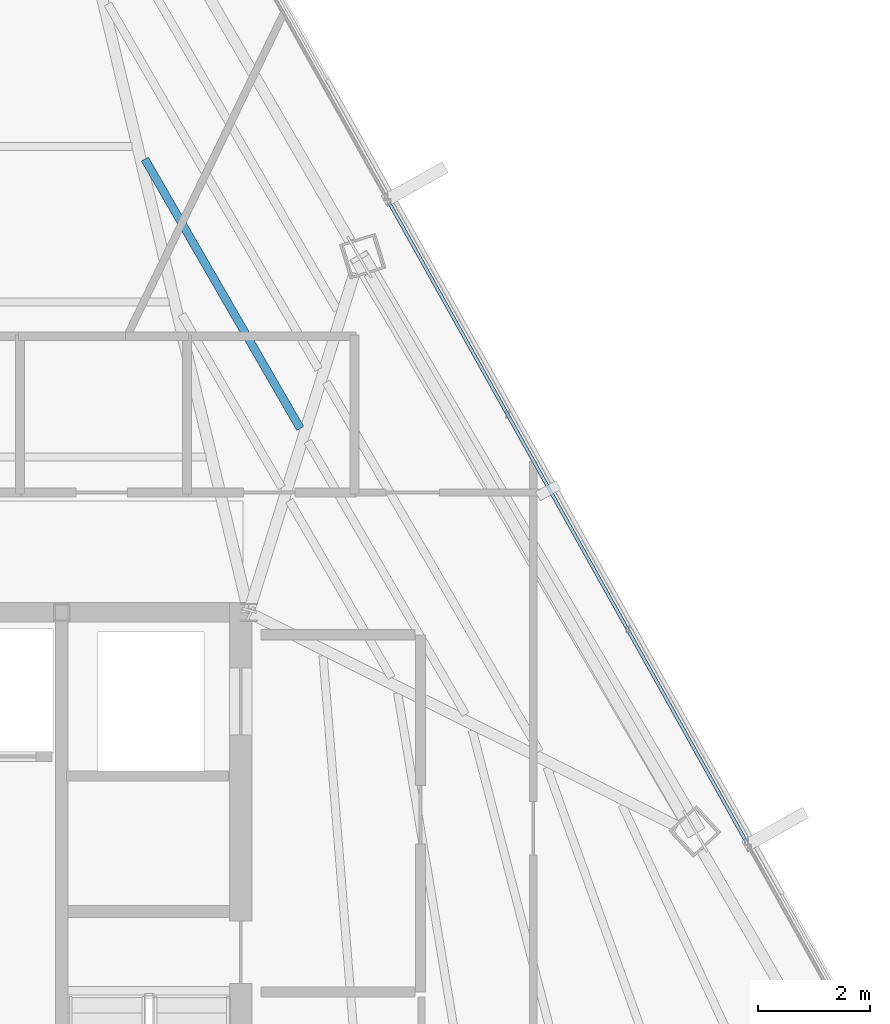
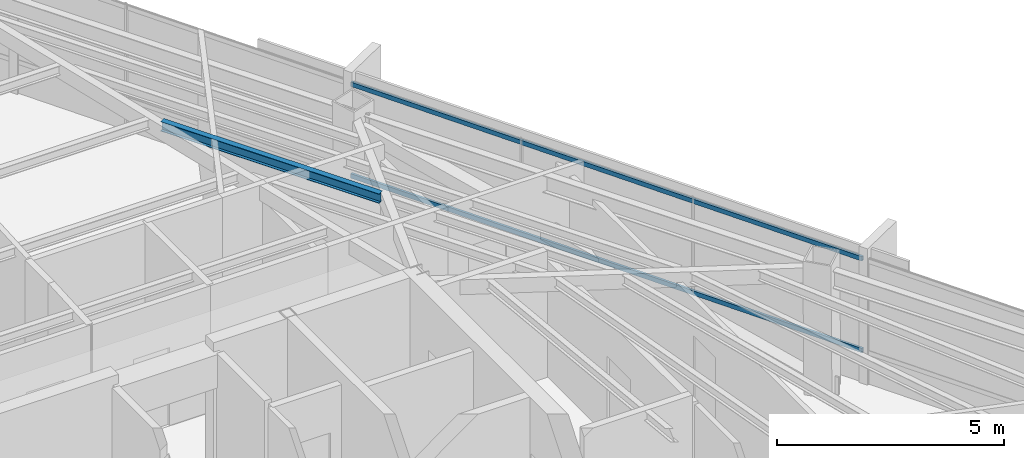
# One storey, part 30 of 45: 2 members, 1 beam, 1 element without a shape of its own.
"""IFC4 building model written with IfcOpenShell, lengths in metres."""

from ifc_helpers import new_model, si_unit, direction, frame, origin, origin_2d, place, context, subcontext, project, spatial, hollow_rectangle, i_section, extrude, source, transform, mapped, material, material_profile, profile_set, type_object, type_shapes, element, aggregate, save


model = new_model("IFC4")

# Units and contexts
model_context = context("Model", 3, precision=1e-05, world=origin(), true_north=direction((0.0, 1.0)))
body_context = subcontext(model_context, "Body", "Model", "MODEL_VIEW")
ifc_project = project(units=[si_unit("LENGTHUNIT", "METRE"), si_unit("AREAUNIT", "SQUARE_METRE"), si_unit("VOLUMEUNIT", "CUBIC_METRE"), si_unit("PLANEANGLEUNIT", "RADIAN"), si_unit("MASSUNIT", "GRAM", prefix="KILO")], contexts=[model_context])

# Site, building, storey
site_placement = place(None, origin())
site = spatial("IfcSite", under=ifc_project, at=site_placement, CompositionType="ELEMENT")
building_placement = place(site_placement, origin())
building = spatial("IfcBuilding", under=site, at=building_placement, Name="Caelisora Broadcast Tower", CompositionType="ELEMENT")
storey_placement = place(building_placement, frame((0.0, 0.0, 266.35009765625)))
storey = spatial("IfcBuildingStorey", under=building, at=storey_placement, Name="L70", CompositionType="ELEMENT", Elevation=266.35009765625)

# Beam
ifc_material_1 = material(Name="Steel Grade 350 (AS/NZS 3679.1)", Category="steel")
ifc_material_profile_1 = material_profile(ifc_material_1, i_section(OverallWidth=0.14599609375, OverallDepth=0.256103515625, WebThickness=0.00634765625, FlangeThickness=0.010986328125, at=origin_2d()), Name="Steel Grade 350 (AS/NZS 3679.1)")
ifc_profile_set_1 = profile_set([ifc_material_profile_1], Name="Steel Grade 350 (AS/NZS 3679.1)")
beam_type = type_object("IfcBeamType", Name="SB04", PredefinedType="JOIST", material=ifc_profile_set_1)
shared_shape_1 = source(origin(), body_context, "Body", "SweptSolid", [
    extrude(i_section(OverallWidth=0.14599609375, OverallDepth=0.256103515625, WebThickness=0.00634765625, FlangeThickness=0.010986328125, at=origin_2d()), origin(), (0.0, 0.0, 1.0), 5.572509765625),
])
type_shapes(beam_type, [shared_shape_1])
beam_placement = place(storey_placement, frame((46.427001953125, 33.298095703125, 3.271728515625), z_axis=(-0.500016995211, 0.866015591372, 0.0), x_axis=(-0.866015591372, -0.500016995211, 0.0)))
element("IfcBeam", 1, at=beam_placement, inside=storey, type_object=beam_type, Name="L70 beam SB04", PredefinedType="JOIST", context=body_context, shape_type="MappedRepresentation", body=[
    mapped(shared_shape_1, transform((0.0, 0.0, 0.0), scale=1.0)),
])

# Curtain wall, members
ifc_material_2 = material(Name="Unitised Aluminium Insulated Shadow-Box Spandrel Curtain Wall", Category="aluminium")
curtain_wall_type = type_object("IfcCurtainWallType", Name="CW-SP3", PredefinedType="NOTDEFINED", material=ifc_material_2)
curtain_wall_placement = place(storey_placement, origin())
curtain_wall = element("IfcCurtainWall", 2, at=curtain_wall_placement, inside=storey, type_object=curtain_wall_type, Name="L70 curtain wall CW-SP3", PredefinedType="NOTDEFINED")
ifc_material_3 = material(Name="Aluminium 6063-T6 Anodised Terracotta Bronze", Category="aluminium")
ifc_material_profile_2 = material_profile(ifc_material_3, hollow_rectangle(XDim=0.06005859375, YDim=0.1201171875, WallThickness=0.0029296875, at=origin_2d()), Name="Aluminium 6063-T6 Anodised Terracotta Bronze")
ifc_profile_set_2 = profile_set([ifc_material_profile_2], Name="Aluminium 6063-T6 Anodised Terracotta Bronze")
member_type = type_object("IfcMemberType", Name="CWT-03", PredefinedType="USERDEFINED", material=ifc_profile_set_2)
shared_shape_2 = source(origin(), body_context, "Body", "SweptSolid", [
    extrude(hollow_rectangle(XDim=0.06005859375, YDim=0.1201171875, WallThickness=0.0029296875, at=origin_2d()), origin(), (0.0, 0.0, 1.0), 13.13720703125),
])
type_shapes(member_type, [shared_shape_2])
member_1_placement = place(storey_placement, frame((48.0146484375, 37.353271484375, 0.849853515625), z_axis=(0.487804697133, -0.872952792226, 0.0), x_axis=(0.872952792226, 0.487804697133, 0.0)))
member_1 = element("IfcMember", 3, at=member_1_placement, type_object=member_type, Name="L70-CW-B02 transom #1", ObjectType="TRANSOM", PredefinedType="USERDEFINED", context=body_context, shape_type="MappedRepresentation", body=[
    mapped(shared_shape_2, transform((0.0, 0.0, 0.0), scale=1.0)),
])
member_2_placement = place(storey_placement, frame((48.0146484375, 37.353271484375, 3.31982421875), z_axis=(0.487804697133, -0.872952792226, 0.0), x_axis=(0.872952792226, 0.487804697133, 0.0)))
member_2 = element("IfcMember", 4, at=member_2_placement, type_object=member_type, Name="L70-CW-B02 transom #2", ObjectType="TRANSOM", PredefinedType="USERDEFINED", context=body_context, shape_type="MappedRepresentation", body=[
    mapped(shared_shape_2, transform((0.0, 0.0, 0.0), scale=1.0)),
])
aggregate(curtain_wall, [member_1, member_2])

save(model, "model.ifc")
